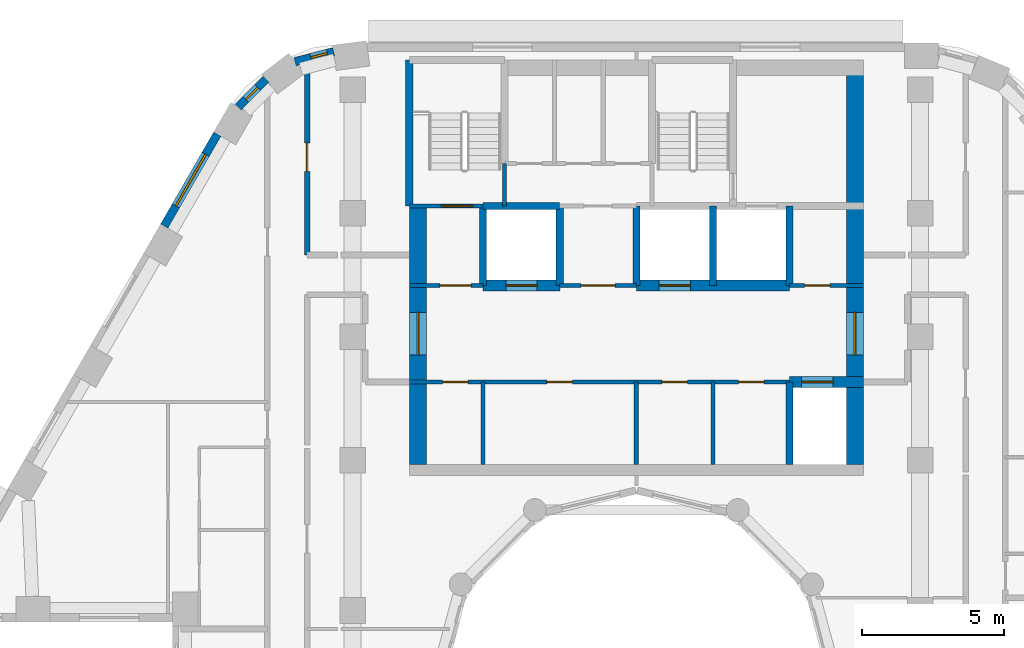
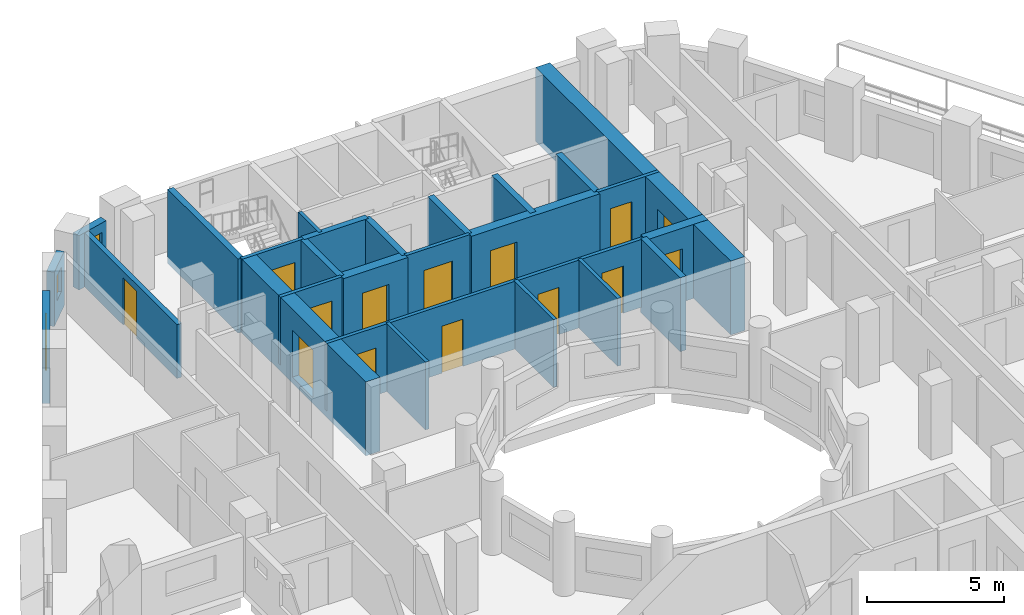
# One storey, part 8 of 18: 26 walls, 14 doors, 3 windows, 17 openings.
"""IFC4 building model written with IfcOpenShell, lengths in metres."""

from ifc_helpers import new_model, si_unit, direction, frame, frame_2d, origin, place, context, subcontext, project, spatial, rectangle, extrude, material, layer, layer_set, type_object, element, fill, save


model = new_model("IFC4")

# Units and contexts
model_context = context("Model", 3, precision=1e-05, world=origin(), true_north=direction((0.0, 1.0)))
body_context = subcontext(model_context, "Body", "Model", "MODEL_VIEW")
ifc_project = project(units=[si_unit("LENGTHUNIT", "METRE"), si_unit("AREAUNIT", "SQUARE_METRE"), si_unit("VOLUMEUNIT", "CUBIC_METRE"), si_unit("PLANEANGLEUNIT", "RADIAN"), si_unit("MASSUNIT", "GRAM", prefix="KILO")], contexts=[model_context])

# Site, building, storey
site_placement = place(None, origin())
site = spatial("IfcSite", under=ifc_project, at=site_placement, CompositionType="ELEMENT")
building_placement = place(site_placement, origin())
building = spatial("IfcBuilding", under=site, at=building_placement, Name="Nakaniwa Court", CompositionType="ELEMENT")
storey_placement = place(building_placement, frame((0.0, 0.0, 180.0)))
storey = spatial("IfcBuildingStorey", under=building, at=storey_placement, Name="L46", CompositionType="ELEMENT", Elevation=180.0)

# Wall, opening, door
ifc_material_1 = material(Name="Acoustic double stud partition")
ifc_layer_1 = layer(ifc_material_1, 0.199951171875)
ifc_layer_set_1 = layer_set([ifc_layer_1], Name="Acoustic double stud partition")
wall_type_1 = type_object("IfcWallType", Name="Acoustic double stud partition 200", PredefinedType="PARTITIONING", material=ifc_layer_set_1)
wall_1_placement = place(storey_placement, frame((68.39990234375, 102.07373046875, 0.0), z_axis=(0.0, 0.0, 1.0), x_axis=(0.0, -1.0, 0.0)))
wall_1 = element("IfcWall", 1, at=wall_1_placement, inside=storey, type_object=wall_type_1, Name="Partition PW-103", PredefinedType="PARTITIONING", context=body_context, shape_type="SweptSolid", body=[
    extrude(rectangle(XDim=6.898681640625, YDim=0.199951171875, at=frame_2d((3.44921875, 0.0))), origin(), (0.0, 0.0, 1.0), 2.405029296875),
])
opening_1_placement = place(wall_1_placement, frame((2.948974609375, 0.0, 0.0)))
opening_1 = element("IfcOpeningElement", 2, at=opening_1_placement, cuts=wall_1, Name="Opening D-02-09", PredefinedType="OPENING", context=body_context, shape_type="SweptSolid", body=[
    extrude(rectangle(XDim=1.0, YDim=2.10009765625, at=frame_2d((0.5, 1.050048828125))), frame((0.0, 0.10986328125, 0.0), z_axis=(0.0, -1.0, 0.0), x_axis=(1.0, 0.0, 0.0)), (0.0, 0.0, 1.0), 0.219970703125),
])
ifc_material_2 = material(Name="Solid core timber door set, black veneer", Category="wood")
door_type_1 = type_object("IfcDoorType", Name="Internal door 1000", OperationType="NOTDEFINED", PredefinedType="DOOR", material=ifc_material_2)
door_1_placement = place(opening_1_placement, origin())
door_1 = element("IfcDoor", 3, at=door_1_placement, inside=storey, type_object=door_type_1, Name="Door D-02-09 L46-062", OperationType="SINGLE_SWING_LEFT", OverallHeight=2.10009765625, OverallWidth=1.0, PredefinedType="DOOR", context=body_context, shape_type="SweptSolid", body=[
    extrude(rectangle(XDim=1.0, YDim=2.10009765625, at=frame_2d((0.5, 1.050048828125))), frame((0.0, 0.02490234375, 0.0), z_axis=(0.0, -1.0, 0.0), x_axis=(1.0, 0.0, 0.0)), (0.0, 0.0, 1.0), 0.050048828125),
])
fill(opening_1, door_1)

# Wall, opening, window
ifc_material_3 = material(Name="Charcoal ceramic cladding")
ifc_layer_2 = layer(ifc_material_3, 0.02, Name="Ceramic cladding")
ifc_material_4 = material(Name="Ventilated air cavity")
ifc_layer_3 = layer(ifc_material_4, 0.04, ventilated=True, Name="Ventilated cavity")
ifc_material_5 = material(Name="Mineral wool insulation")
ifc_layer_4 = layer(ifc_material_5, 0.1, Name="Insulation")
ifc_material_6 = material(Name="Cement bonded sheathing board")
ifc_layer_5 = layer(ifc_material_6, 0.012, Name="Sheathing")
ifc_material_7 = material(Name="Cold-formed galvanised stud frame with mineral wool infill")
ifc_layer_6 = layer(ifc_material_7, 0.1, Name="Stud frame")
ifc_material_8 = material(Name="Fire-rated gypsum plasterboard lining")
ifc_layer_7 = layer(ifc_material_8, 0.028, Name="Lining")
ifc_layer_set_2 = layer_set([ifc_layer_2, ifc_layer_3, ifc_layer_4, ifc_layer_5, ifc_layer_6, ifc_layer_7], Name="Charcoal ceramic faced external wall system")
wall_type_2 = type_object("IfcWallType", Name="Black ceramic faced external wall 300", PredefinedType="SOLIDWALL", material=ifc_layer_set_2)
wall_2_placement = place(storey_placement, frame((69.3359375, 102.333251953125, 0.0), z_axis=(0.0, 0.0, 1.0), x_axis=(-0.969037396898, -0.246914000036, 0.0)))
wall_2 = element("IfcWall", 4, at=wall_2_placement, inside=storey, type_object=wall_type_2, Name="L46 external wall 09", PredefinedType="SOLIDWALL", context=body_context, shape_type="SweptSolid", body=[
    extrude(rectangle(XDim=1.403076171875, YDim=0.300048828125, at=frame_2d((0.70166015625, 0.0))), origin(), (0.0, 0.0, 1.0), 2.425048828125),
])
opening_2_placement = place(wall_2_placement, frame((0.22900390625, 0.0, 0.89990234375)))
opening_2 = element("IfcOpeningElement", 5, at=opening_2_placement, cuts=wall_2, Name="Opening W8.09", PredefinedType="OPENING", context=body_context, shape_type="SweptSolid", body=[
    extrude(rectangle(XDim=0.60009765625, YDim=1.10009765625, at=frame_2d((0.300048828125, 0.550048828125))), frame((0.0, 0.159912109375, 0.0), z_axis=(0.0, -1.0, 0.0), x_axis=(1.0, 0.0, 0.0)), (0.0, 0.0, 1.0), 0.320068359375),
])
ifc_material_9 = material(Name="Black anodised aluminium frame with dark low-E laminated double glazing", Category="aluminium")
window_type_1 = type_object("IfcWindowType", Name="Dark glass window 600x1100 sill 900", PartitioningType="SINGLE_PANEL", PredefinedType="WINDOW", material=ifc_material_9)
window_1_placement = place(opening_2_placement, origin())
window_1 = element("IfcWindow", 6, at=window_1_placement, inside=storey, type_object=window_type_1, Name="L46 habitable room window 09-0", OverallHeight=1.10009765625, OverallWidth=0.60009765625, PartitioningType="SINGLE_PANEL", PredefinedType="WINDOW", context=body_context, shape_type="SweptSolid", body=[
    extrude(rectangle(XDim=0.60009765625, YDim=1.10009765625, at=frame_2d((0.300048828125, 0.550048828125))), frame((0.0, 0.030029296875, 0.0), z_axis=(0.0, -1.0, 0.0), x_axis=(1.0, 0.0, 0.0)), (0.0, 0.0, 1.0), 0.06005859375),
])
fill(opening_2, window_1)

wall_3_placement = place(storey_placement, frame((66.951904296875, 101.36328125, 0.0), z_axis=(0.0, 0.0, 1.0), x_axis=(-0.70869320446, -0.705516790695, 0.0)))
wall_3 = element("IfcWall", 7, at=wall_3_placement, inside=storey, type_object=wall_type_2, Name="L46 external wall 10", PredefinedType="SOLIDWALL", context=body_context, shape_type="SweptSolid", body=[
    extrude(rectangle(XDim=1.383544921875, YDim=0.300048828125, at=frame_2d((0.69189453125, 0.0))), origin(), (0.0, 0.0, 1.0), 2.425048828125),
])
opening_3_placement = place(wall_3_placement, frame((0.407958984375, 0.0, 0.89990234375)))
opening_3 = element("IfcOpeningElement", 8, at=opening_3_placement, cuts=wall_3, Name="Opening W8.10", PredefinedType="OPENING", context=body_context, shape_type="SweptSolid", body=[
    extrude(rectangle(XDim=0.60009765625, YDim=1.10009765625, at=frame_2d((0.300048828125, 0.550048828125))), frame((0.0, 0.159912109375, 0.0), z_axis=(0.0, -1.0, 0.0), x_axis=(1.0, 0.0, 0.0)), (0.0, 0.0, 1.0), 0.320068359375),
])
window_2_placement = place(opening_3_placement, origin())
window_2 = element("IfcWindow", 9, at=window_2_placement, inside=storey, type_object=window_type_1, Name="L46 habitable room window 10-1", OverallHeight=1.10009765625, OverallWidth=0.60009765625, PartitioningType="SINGLE_PANEL", PredefinedType="WINDOW", context=body_context, shape_type="SweptSolid", body=[
    extrude(rectangle(XDim=0.60009765625, YDim=1.10009765625, at=frame_2d((0.300048828125, 0.550048828125))), frame((0.0, 0.030029296875, 0.0), z_axis=(0.0, -1.0, 0.0), x_axis=(1.0, 0.0, 0.0)), (0.0, 0.0, 1.0), 0.06005859375),
])
fill(opening_3, window_2)

wall_4_placement = place(storey_placement, frame((65.239013671875, 99.433349609375, 0.0), z_axis=(0.0, 0.0, 1.0), x_axis=(-0.499982088007, -0.866035745032, 0.0)))
wall_4 = element("IfcWall", 10, at=wall_4_placement, inside=storey, type_object=wall_type_2, Name="L46 external wall 11", PredefinedType="SOLIDWALL", context=body_context, shape_type="SweptSolid", body=[
    extrude(rectangle(XDim=3.744384765625, YDim=0.300048828125, at=frame_2d((1.8720703125, 0.0))), origin(), (0.0, 0.0, 1.0), 2.425048828125),
])
opening_4_placement = place(wall_4_placement, frame((0.822021484375, 0.0, 0.89990234375)))
opening_4 = element("IfcOpeningElement", 11, at=opening_4_placement, cuts=wall_4, Name="Opening W7.11", PredefinedType="OPENING", context=body_context, shape_type="SweptSolid", body=[
    extrude(rectangle(XDim=2.10009765625, YDim=1.10009765625, at=frame_2d((1.050048828125, 0.550048828125))), frame((0.0, 0.159912109375, 0.0), z_axis=(0.0, -1.0, 0.0), x_axis=(1.0, 0.0, 0.0)), (0.0, 0.0, 1.0), 0.320068359375),
])
window_type_2 = type_object("IfcWindowType", Name="Dark glass window 2100x1100 sill 900", PartitioningType="SINGLE_PANEL", PredefinedType="WINDOW", material=ifc_material_9)
window_3_placement = place(opening_4_placement, origin())
window_3 = element("IfcWindow", 12, at=window_3_placement, inside=storey, type_object=window_type_2, Name="L46 habitable room window 11-0", OverallHeight=1.10009765625, OverallWidth=2.10009765625, PartitioningType="SINGLE_PANEL", PredefinedType="WINDOW", context=body_context, shape_type="SweptSolid", body=[
    extrude(rectangle(XDim=2.10009765625, YDim=1.10009765625, at=frame_2d((1.050048828125, 0.550048828125))), frame((0.0, 0.030029296875, 0.0), z_axis=(0.0, -1.0, 0.0), x_axis=(1.0, 0.0, 0.0)), (0.0, 0.0, 1.0), 0.06005859375),
])
fill(opening_4, window_3)

# Wall
ifc_material_10 = material(Name="Blockwork partition", Category="masonry")
ifc_layer_8 = layer(ifc_material_10, 0.14990234375)
ifc_layer_set_3 = layer_set([ifc_layer_8], Name="Blockwork partition")
wall_type_3 = type_object("IfcWallType", Name="Blockwork partition 150", PredefinedType="PARTITIONING", material=ifc_layer_set_3)
wall_5_placement = place(storey_placement, frame((74.60009765625, 87.800048828125, 0.0), z_axis=(0.0, 0.0, 1.0), x_axis=(0.0, 1.0, 0.0)))
element("IfcWall", 13, at=wall_5_placement, inside=storey, type_object=wall_type_3, Name="Partition PW-001", PredefinedType="PARTITIONING", context=body_context, shape_type="SweptSolid", body=[
    extrude(rectangle(XDim=2.89990234375, YDim=0.14990234375, at=frame_2d((1.449951171875, 0.0))), origin(), (0.0, 0.0, 1.0), 3.02490234375),
])

# Wall, openings, doors
wall_6_placement = place(storey_placement, frame((85.39990234375, 90.699951171875, 0.0), z_axis=(0.0, 0.0, 1.0), x_axis=(-1.0, 0.0, 0.0)))
wall_6 = element("IfcWall", 14, at=wall_6_placement, inside=storey, type_object=wall_type_3, Name="Partition PW-002", PredefinedType="PARTITIONING", context=body_context, shape_type="SweptSolid", body=[
    extrude(rectangle(XDim=13.39990234375, YDim=0.14990234375, at=frame_2d((6.699951171875, 0.0))), origin(), (0.0, 0.0, 1.0), 3.02490234375),
])
opening_5_placement = place(wall_6_placement, frame((11.324951171875, 0.0, 0.0)))
opening_5 = element("IfcOpeningElement", 15, at=opening_5_placement, cuts=wall_6, Name="Opening D-05-01", PredefinedType="OPENING", context=body_context, shape_type="SweptSolid", body=[
    extrude(rectangle(XDim=0.89990234375, YDim=2.10009765625, at=frame_2d((0.449951171875, 1.050048828125))), frame((0.0, 0.0849609375, 0.0), z_axis=(0.0, -1.0, 0.0), x_axis=(1.0, 0.0, 0.0)), (0.0, 0.0, 1.0), 0.169921875),
])
opening_6_placement = place(wall_6_placement, frame((7.64990234375, 0.0, 0.0)))
opening_6 = element("IfcOpeningElement", 16, at=opening_6_placement, cuts=wall_6, Name="Opening D-05-02", PredefinedType="OPENING", context=body_context, shape_type="SweptSolid", body=[
    extrude(rectangle(XDim=0.89990234375, YDim=2.10009765625, at=frame_2d((0.449951171875, 1.050048828125))), frame((0.0, 0.0849609375, 0.0), z_axis=(0.0, -1.0, 0.0), x_axis=(1.0, 0.0, 0.0)), (0.0, 0.0, 1.0), 0.169921875),
])
opening_7_placement = place(wall_6_placement, frame((3.60009765625, 0.0, 0.0)))
opening_7 = element("IfcOpeningElement", 17, at=opening_7_placement, cuts=wall_6, Name="Opening D-05-03", PredefinedType="OPENING", context=body_context, shape_type="SweptSolid", body=[
    extrude(rectangle(XDim=0.89990234375, YDim=2.10009765625, at=frame_2d((0.449951171875, 1.050048828125))), frame((0.0, 0.0849609375, 0.0), z_axis=(0.0, -1.0, 0.0), x_axis=(1.0, 0.0, 0.0)), (0.0, 0.0, 1.0), 0.169921875),
])
opening_8_placement = place(wall_6_placement, frame((0.89990234375, 0.0, 0.0)))
opening_8 = element("IfcOpeningElement", 18, at=opening_8_placement, cuts=wall_6, Name="Opening D-05-04", PredefinedType="OPENING", context=body_context, shape_type="SweptSolid", body=[
    extrude(rectangle(XDim=0.89990234375, YDim=2.10009765625, at=frame_2d((0.449951171875, 1.050048828125))), frame((0.0, 0.0849609375, 0.0), z_axis=(0.0, -1.0, 0.0), x_axis=(1.0, 0.0, 0.0)), (0.0, 0.0, 1.0), 0.169921875),
])
ifc_material_11 = material(Name="Fire rated steel door set", Category="steel")
door_type_2 = type_object("IfcDoorType", Name="Service room door 900", OperationType="NOTDEFINED", PredefinedType="DOOR", material=ifc_material_11)
door_2_placement = place(opening_5_placement, origin())
door_2 = element("IfcDoor", 19, at=door_2_placement, inside=storey, type_object=door_type_2, Name="Door D-05-01 L46-001", OperationType="SINGLE_SWING_RIGHT", OverallHeight=2.10009765625, OverallWidth=0.89990234375, PredefinedType="DOOR", context=body_context, shape_type="SweptSolid", body=[
    extrude(rectangle(XDim=0.89990234375, YDim=2.10009765625, at=frame_2d((0.449951171875, 1.050048828125))), frame((0.0, 0.02490234375, 0.0), z_axis=(0.0, -1.0, 0.0), x_axis=(1.0, 0.0, 0.0)), (0.0, 0.0, 1.0), 0.050048828125),
])
fill(opening_5, door_2)
door_3_placement = place(opening_6_placement, origin())
door_3 = element("IfcDoor", 20, at=door_3_placement, inside=storey, type_object=door_type_2, Name="Door D-05-02 L46-002", OperationType="SINGLE_SWING_LEFT", OverallHeight=2.10009765625, OverallWidth=0.89990234375, PredefinedType="DOOR", context=body_context, shape_type="SweptSolid", body=[
    extrude(rectangle(XDim=0.89990234375, YDim=2.10009765625, at=frame_2d((0.449951171875, 1.050048828125))), frame((0.0, 0.02490234375, 0.0), z_axis=(0.0, -1.0, 0.0), x_axis=(1.0, 0.0, 0.0)), (0.0, 0.0, 1.0), 0.050048828125),
])
fill(opening_6, door_3)
door_4_placement = place(opening_7_placement, origin())
door_4 = element("IfcDoor", 21, at=door_4_placement, inside=storey, type_object=door_type_2, Name="Door D-05-03 L46-003", OperationType="SINGLE_SWING_RIGHT", OverallHeight=2.10009765625, OverallWidth=0.89990234375, PredefinedType="DOOR", context=body_context, shape_type="SweptSolid", body=[
    extrude(rectangle(XDim=0.89990234375, YDim=2.10009765625, at=frame_2d((0.449951171875, 1.050048828125))), frame((0.0, 0.02490234375, 0.0), z_axis=(0.0, -1.0, 0.0), x_axis=(1.0, 0.0, 0.0)), (0.0, 0.0, 1.0), 0.050048828125),
])
fill(opening_7, door_4)
door_5_placement = place(opening_8_placement, origin())
door_5 = element("IfcDoor", 22, at=door_5_placement, inside=storey, type_object=door_type_2, Name="Door D-05-04 L46-004", OperationType="SINGLE_SWING_LEFT", OverallHeight=2.10009765625, OverallWidth=0.89990234375, PredefinedType="DOOR", context=body_context, shape_type="SweptSolid", body=[
    extrude(rectangle(XDim=0.89990234375, YDim=2.10009765625, at=frame_2d((0.449951171875, 1.050048828125))), frame((0.0, 0.02490234375, 0.0), z_axis=(0.0, -1.0, 0.0), x_axis=(1.0, 0.0, 0.0)), (0.0, 0.0, 1.0), 0.050048828125),
])
fill(opening_8, door_5)

# Walls
for number, where, z_axis, x_axis, name in (
    (23, (80.0, 87.800048828125, 0.0), (0.0, 0.0, 1.0), (0.0, 1.0, 0.0), "Partition PW-008"),
    (24, (82.699951171875, 87.800048828125, 0.0), (0.0, 0.0, 1.0), (0.0, 1.0, 0.0), "Partition PW-009"),
):
    element("IfcWall", number, at=place(storey_placement, frame(where, z_axis=z_axis, x_axis=x_axis)), inside=storey, type_object=wall_type_3, Name=name, PredefinedType="PARTITIONING", context=body_context, shape_type="SweptSolid", body=[
        extrude(rectangle(XDim=2.89990234375, YDim=0.14990234375, at=frame_2d((1.449951171875, 0.0))), origin(), (0.0, 0.0, 1.0), 3.02490234375),
    ])

# Wall, opening, door
wall_7_placement = place(storey_placement, frame((72.0, 94.10009765625, 0.0), z_axis=(0.0, 0.0, 1.0), x_axis=(1.0, 0.0, 0.0)))
wall_7 = element("IfcWall", 25, at=wall_7_placement, inside=storey, type_object=wall_type_3, Name="Partition PW-010", PredefinedType="PARTITIONING", context=body_context, shape_type="SweptSolid", body=[
    extrude(rectangle(XDim=2.60302734375, YDim=0.14990234375, at=frame_2d((1.301513671875, 0.0))), origin(), (0.0, 0.0, 1.0), 3.02490234375),
])
opening_9_placement = place(wall_7_placement, frame((1.074951171875, 0.0, 0.0)))
opening_9 = element("IfcOpeningElement", 26, at=opening_9_placement, cuts=wall_7, Name="Opening D-08-01", PredefinedType="OPENING", context=body_context, shape_type="SweptSolid", body=[
    extrude(rectangle(XDim=1.10009765625, YDim=2.10009765625, at=frame_2d((0.550048828125, 1.050048828125))), frame((0.0, 0.0849609375, 0.0), z_axis=(0.0, -1.0, 0.0), x_axis=(1.0, 0.0, 0.0)), (0.0, 0.0, 1.0), 0.169921875),
])
door_type_3 = type_object("IfcDoorType", Name="Stair lobby door 1100", OperationType="NOTDEFINED", PredefinedType="DOOR", material=ifc_material_11)
door_6_placement = place(opening_9_placement, origin())
door_6 = element("IfcDoor", 27, at=door_6_placement, inside=storey, type_object=door_type_3, Name="Door D-08-01 L46-005", OperationType="SINGLE_SWING_RIGHT", OverallHeight=2.10009765625, OverallWidth=1.10009765625, PredefinedType="DOOR", context=body_context, shape_type="SweptSolid", body=[
    extrude(rectangle(XDim=1.10009765625, YDim=2.10009765625, at=frame_2d((0.550048828125, 1.050048828125))), frame((0.0, 0.02490234375, 0.0), z_axis=(0.0, -1.0, 0.0), x_axis=(1.0, 0.0, 0.0)), (0.0, 0.0, 1.0), 0.050048828125),
])
fill(opening_9, door_6)

wall_8_placement = place(storey_placement, frame((77.297119140625, 94.10009765625, 0.0), z_axis=(0.0, 0.0, 1.0), x_axis=(1.0, 0.0, 0.0)))
wall_8 = element("IfcWall", 28, at=wall_8_placement, inside=storey, type_object=wall_type_3, Name="Partition PW-011", PredefinedType="PARTITIONING", context=body_context, shape_type="SweptSolid", body=[
    extrude(rectangle(XDim=2.705810546875, YDim=0.14990234375, at=frame_2d((1.35302734375, 0.0))), origin(), (0.0, 0.0, 1.0), 3.02490234375),
])
opening_10_placement = place(wall_8_placement, frame((0.7529296875, 0.0, 0.0)))
opening_10 = element("IfcOpeningElement", 29, at=opening_10_placement, cuts=wall_8, Name="Opening D-06-01", PredefinedType="OPENING", context=body_context, shape_type="SweptSolid", body=[
    extrude(rectangle(XDim=1.199951171875, YDim=2.10009765625, at=frame_2d((0.60009765625, 1.050048828125))), frame((0.0, 0.0849609375, 0.0), z_axis=(0.0, -1.0, 0.0), x_axis=(1.0, 0.0, 0.0)), (0.0, 0.0, 1.0), 0.169921875),
])
ifc_material_12 = material(Name="Fire rated steel double door set", Category="steel")
door_type_4 = type_object("IfcDoorType", Name="Service passage double door 1200", OperationType="NOTDEFINED", PredefinedType="DOOR", material=ifc_material_12)
door_7_placement = place(opening_10_placement, origin())
door_7 = element("IfcDoor", 30, at=door_7_placement, inside=storey, type_object=door_type_4, Name="Door D-06-01 L46-006", OperationType="DOUBLE_DOOR_SINGLE_SWING", OverallHeight=2.10009765625, OverallWidth=1.199951171875, PredefinedType="DOOR", context=body_context, shape_type="SweptSolid", body=[
    extrude(rectangle(XDim=1.199951171875, YDim=2.10009765625, at=frame_2d((0.60009765625, 1.050048828125))), frame((0.0, 0.02490234375, 0.0), z_axis=(0.0, -1.0, 0.0), x_axis=(1.0, 0.0, 0.0)), (0.0, 0.0, 1.0), 0.050048828125),
])
fill(opening_10, door_7)

wall_9_placement = place(storey_placement, frame((85.39697265625, 94.10009765625, 0.0), z_axis=(0.0, 0.0, 1.0), x_axis=(1.0, 0.0, 0.0)))
wall_9 = element("IfcWall", 31, at=wall_9_placement, inside=storey, type_object=wall_type_3, Name="Partition PW-012", PredefinedType="PARTITIONING", context=body_context, shape_type="SweptSolid", body=[
    extrude(rectangle(XDim=2.60302734375, YDim=0.14990234375, at=frame_2d((1.301513671875, 0.0))), origin(), (0.0, 0.0, 1.0), 3.02490234375),
])
opening_11_placement = place(wall_9_placement, frame((0.528076171875, 0.0, 0.0)))
opening_11 = element("IfcOpeningElement", 32, at=opening_11_placement, cuts=wall_9, Name="Opening D-05-05", PredefinedType="OPENING", context=body_context, shape_type="SweptSolid", body=[
    extrude(rectangle(XDim=0.89990234375, YDim=2.10009765625, at=frame_2d((0.449951171875, 1.050048828125))), frame((0.0, 0.0849609375, 0.0), z_axis=(0.0, -1.0, 0.0), x_axis=(1.0, 0.0, 0.0)), (0.0, 0.0, 1.0), 0.169921875),
])
door_8_placement = place(opening_11_placement, origin())
door_8 = element("IfcDoor", 33, at=door_8_placement, inside=storey, type_object=door_type_2, Name="Door D-05-05 L46-007", OperationType="SINGLE_SWING_RIGHT", OverallHeight=2.10009765625, OverallWidth=0.89990234375, PredefinedType="DOOR", context=body_context, shape_type="SweptSolid", body=[
    extrude(rectangle(XDim=0.89990234375, YDim=2.10009765625, at=frame_2d((0.449951171875, 1.050048828125))), frame((0.0, 0.02490234375, 0.0), z_axis=(0.0, -1.0, 0.0), x_axis=(1.0, 0.0, 0.0)), (0.0, 0.0, 1.0), 0.050048828125),
])
fill(opening_11, door_8)

ifc_material_13 = material(Name="Concrete C80/100", Category="concrete")
ifc_layer_9 = layer(ifc_material_13, 0.60009765625)
ifc_layer_set_4 = layer_set([ifc_layer_9], Name="Concrete C80/100")
wall_type_4 = type_object("IfcWallType", Name="Concrete core side wall 600 C80", PredefinedType="SHEAR", material=ifc_layer_set_4)
wall_10_placement = place(storey_placement, frame((72.300048828125, 87.800048828125, -0.27490234375), z_axis=(0.0, 0.0, 1.0), x_axis=(0.0, 1.0, 0.0)))
wall_10 = element("IfcWall", 34, at=wall_10_placement, inside=storey, type_object=wall_type_4, Name="Core wall SW-03", PredefinedType="SHEAR", context=body_context, shape_type="SweptSolid", body=[
    extrude(rectangle(XDim=9.099853515625, YDim=0.60009765625, at=frame_2d((4.5498046875, 0.0))), origin(), (0.0, 0.0, 1.0), 3.2998046875),
])
opening_12_placement = place(wall_10_placement, frame((3.85205078125, 0.0, 0.27490234375)))
opening_12 = element("IfcOpeningElement", 35, at=opening_12_placement, cuts=wall_10, Name="Opening D-07-02", PredefinedType="OPENING", context=body_context, shape_type="SweptSolid", body=[
    extrude(rectangle(XDim=1.5, YDim=2.10009765625, at=frame_2d((0.75, 1.050048828125))), frame((0.0, 0.31005859375, 0.0), z_axis=(0.0, -1.0, 0.0), x_axis=(1.0, 0.0, 0.0)), (0.0, 0.0, 1.0), 0.6201171875),
])
ifc_material_14 = material(Name="Glazed fire rated steel double door set", Category="steel")
door_type_5 = type_object("IfcDoorType", Name="Lobby double door 1500", OperationType="NOTDEFINED", PredefinedType="DOOR", material=ifc_material_14)
door_9_placement = place(opening_12_placement, origin())
door_9 = element("IfcDoor", 36, at=door_9_placement, inside=storey, type_object=door_type_5, Name="Door D-07-02 L46-064", OperationType="DOUBLE_DOOR_SINGLE_SWING", OverallHeight=2.10009765625, OverallWidth=1.5, PredefinedType="DOOR", context=body_context, shape_type="SweptSolid", body=[
    extrude(rectangle(XDim=1.5, YDim=2.10009765625, at=frame_2d((0.75, 1.050048828125))), frame((0.0, 0.02490234375, 0.0), z_axis=(0.0, -1.0, 0.0), x_axis=(1.0, 0.0, 0.0)), (0.0, 0.0, 1.0), 0.050048828125),
])
fill(opening_12, door_9)

wall_11_placement = place(storey_placement, frame((87.699951171875, 102.050048828125, -0.27490234375), z_axis=(0.0, 0.0, 1.0), x_axis=(0.0, -1.0, 0.0)))
wall_11 = element("IfcWall", 37, at=wall_11_placement, inside=storey, type_object=wall_type_4, Name="Core wall SW-07", PredefinedType="SHEAR", context=body_context, shape_type="SweptSolid", body=[
    extrude(rectangle(XDim=14.25, YDim=0.60009765625, at=frame_2d((7.125, 0.0))), origin(), (0.0, 0.0, 1.0), 3.2998046875),
])
opening_13_placement = place(wall_11_placement, frame((8.89794921875, 0.0, 0.27490234375)))
opening_13 = element("IfcOpeningElement", 38, at=opening_13_placement, cuts=wall_11, Name="Opening D-07-01", PredefinedType="OPENING", context=body_context, shape_type="SweptSolid", body=[
    extrude(rectangle(XDim=1.5, YDim=2.10009765625, at=frame_2d((0.75, 1.050048828125))), frame((0.0, 0.31005859375, 0.0), z_axis=(0.0, -1.0, 0.0), x_axis=(1.0, 0.0, 0.0)), (0.0, 0.0, 1.0), 0.6201171875),
])
door_10_placement = place(opening_13_placement, origin())
door_10 = element("IfcDoor", 39, at=door_10_placement, inside=storey, type_object=door_type_5, Name="Door D-07-01 L46-063", OperationType="DOUBLE_DOOR_SINGLE_SWING", OverallHeight=2.10009765625, OverallWidth=1.5, PredefinedType="DOOR", context=body_context, shape_type="SweptSolid", body=[
    extrude(rectangle(XDim=1.5, YDim=2.10009765625, at=frame_2d((0.75, 1.050048828125))), frame((0.0, 0.02490234375, 0.0), z_axis=(0.0, -1.0, 0.0), x_axis=(1.0, 0.0, 0.0)), (0.0, 0.0, 1.0), 0.050048828125),
])
fill(opening_13, door_10)

ifc_layer_10 = layer(ifc_material_13, 0.39990234375)
ifc_layer_set_5 = layer_set([ifc_layer_10], Name="Concrete C80/100")
wall_type_5 = type_object("IfcWallType", Name="Concrete core spine wall 400 C80", PredefinedType="SHEAR", material=ifc_layer_set_5)
wall_12_placement = place(storey_placement, frame((85.39990234375, 90.699951171875, -0.27490234375), z_axis=(0.0, 0.0, 1.0), x_axis=(1.0, 0.0, 0.0)))
wall_12 = element("IfcWall", 40, at=wall_12_placement, inside=storey, type_object=wall_type_5, Name="Core wall SW-06", PredefinedType="SHEAR", context=body_context, shape_type="SweptSolid", body=[
    extrude(rectangle(XDim=2.60009765625, YDim=0.39990234375, at=frame_2d((1.300048828125, 0.0))), origin(), (0.0, 0.0, 1.0), 3.2998046875),
])
opening_14_placement = place(wall_12_placement, frame((0.425048828125, 0.0, 0.27490234375)))
opening_14 = element("IfcOpeningElement", 41, at=opening_14_placement, cuts=wall_12, Name="Opening LD01", PredefinedType="OPENING", context=body_context, shape_type="SweptSolid", body=[
    extrude(rectangle(XDim=1.10009765625, YDim=2.10009765625, at=frame_2d((0.550048828125, 1.050048828125))), frame((0.0, 0.2099609375, 0.0), z_axis=(0.0, -1.0, 0.0), x_axis=(1.0, 0.0, 0.0)), (0.0, 0.0, 1.0), 0.419921875),
])
ifc_material_15 = material(Name="Stainless steel sliding lift landing door", Category="steel")
door_type_6 = type_object("IfcDoorType", Name="Lift landing door 1100", OperationType="NOTDEFINED", PredefinedType="DOOR", material=ifc_material_15)
door_11_placement = place(opening_14_placement, origin())
door_11 = element("IfcDoor", 42, at=door_11_placement, inside=storey, type_object=door_type_6, Name="Lift landing door LD01 L46-001", OperationType="SLIDING_TO_LEFT", OverallHeight=2.10009765625, OverallWidth=1.10009765625, PredefinedType="DOOR", context=body_context, shape_type="SweptSolid", body=[
    extrude(rectangle(XDim=1.10009765625, YDim=2.10009765625, at=frame_2d((0.550048828125, 1.050048828125))), frame((0.0, 0.02490234375, 0.0), z_axis=(0.0, -1.0, 0.0), x_axis=(1.0, 0.0, 0.0)), (0.0, 0.0, 1.0), 0.050048828125),
])
fill(opening_14, door_11)

wall_13_placement = place(storey_placement, frame((74.596923828125, 94.10009765625, -0.27490234375), z_axis=(0.0, 0.0, 1.0), x_axis=(1.0, 0.0, 0.0)))
wall_13 = element("IfcWall", 43, at=wall_13_placement, inside=storey, type_object=wall_type_5, Name="Core wall SW-13", PredefinedType="SHEAR", context=body_context, shape_type="SweptSolid", body=[
    extrude(rectangle(XDim=2.7060546875, YDim=0.39990234375, at=frame_2d((1.35302734375, 0.0))), origin(), (0.0, 0.0, 1.0), 3.2998046875),
])
opening_15_placement = place(wall_13_placement, frame((0.802978515625, 0.0, 0.27490234375)))
opening_15 = element("IfcOpeningElement", 44, at=opening_15_placement, cuts=wall_13, Name="Opening LD02", PredefinedType="OPENING", context=body_context, shape_type="SweptSolid", body=[
    extrude(rectangle(XDim=1.10009765625, YDim=2.10009765625, at=frame_2d((0.550048828125, 1.050048828125))), frame((0.0, 0.2099609375, 0.0), z_axis=(0.0, -1.0, 0.0), x_axis=(1.0, 0.0, 0.0)), (0.0, 0.0, 1.0), 0.419921875),
])
door_12_placement = place(opening_15_placement, origin())
door_12 = element("IfcDoor", 45, at=door_12_placement, inside=storey, type_object=door_type_6, Name="Lift landing door LD02 L46-002", OperationType="SLIDING_TO_LEFT", OverallHeight=2.10009765625, OverallWidth=1.10009765625, PredefinedType="DOOR", context=body_context, shape_type="SweptSolid", body=[
    extrude(rectangle(XDim=1.10009765625, YDim=2.10009765625, at=frame_2d((0.550048828125, 1.050048828125))), frame((0.0, 0.02490234375, 0.0), z_axis=(0.0, -1.0, 0.0), x_axis=(1.0, 0.0, 0.0)), (0.0, 0.0, 1.0), 0.050048828125),
])
fill(opening_15, door_12)

wall_14_placement = place(storey_placement, frame((79.9970703125, 94.10009765625, -0.27490234375), z_axis=(0.0, 0.0, 1.0), x_axis=(1.0, 0.0, 0.0)))
wall_14 = element("IfcWall", 46, at=wall_14_placement, inside=storey, type_object=wall_type_5, Name="Core wall SW-14", PredefinedType="SHEAR", context=body_context, shape_type="SweptSolid", body=[
    extrude(rectangle(XDim=5.406005859375, YDim=0.39990234375, at=frame_2d((2.703125, 0.0))), origin(), (0.0, 0.0, 1.0), 3.2998046875),
])
opening_16_placement = place(wall_14_placement, frame((0.802978515625, 0.0, 0.27490234375)))
opening_16 = element("IfcOpeningElement", 47, at=opening_16_placement, cuts=wall_14, Name="Opening LD03", PredefinedType="OPENING", context=body_context, shape_type="SweptSolid", body=[
    extrude(rectangle(XDim=1.10009765625, YDim=2.10009765625, at=frame_2d((0.550048828125, 1.050048828125))), frame((0.0, 0.2099609375, 0.0), z_axis=(0.0, -1.0, 0.0), x_axis=(1.0, 0.0, 0.0)), (0.0, 0.0, 1.0), 0.419921875),
])
door_13_placement = place(opening_16_placement, origin())
door_13 = element("IfcDoor", 48, at=door_13_placement, inside=storey, type_object=door_type_6, Name="Lift landing door LD03 L46-003", OperationType="SLIDING_TO_LEFT", OverallHeight=2.10009765625, OverallWidth=1.10009765625, PredefinedType="DOOR", context=body_context, shape_type="SweptSolid", body=[
    extrude(rectangle(XDim=1.10009765625, YDim=2.10009765625, at=frame_2d((0.550048828125, 1.050048828125))), frame((0.0, 0.02490234375, 0.0), z_axis=(0.0, -1.0, 0.0), x_axis=(1.0, 0.0, 0.0)), (0.0, 0.0, 1.0), 0.050048828125),
])
fill(opening_16, door_13)

ifc_layer_11 = layer(ifc_material_13, 0.14990234375)
ifc_layer_set_6 = layer_set([ifc_layer_11], Name="Concrete C80/100")
wall_type_6 = type_object("IfcWallType", Name="Concrete core wall 150 C80", PredefinedType="SHEAR", material=ifc_layer_set_6)
wall_15_placement = place(storey_placement, frame((74.60009765625, 96.89990234375, -0.27490234375), z_axis=(0.0, 0.0, 1.0), x_axis=(-1.0, 0.0, 0.0)))
wall_15 = element("IfcWall", 49, at=wall_15_placement, inside=storey, type_object=wall_type_6, Name="Core wall SW-16", PredefinedType="SHEAR", context=body_context, shape_type="SweptSolid", body=[
    extrude(rectangle(XDim=2.60009765625, YDim=0.14990234375, at=frame_2d((1.300048828125, 0.0))), origin(), (0.0, 0.0, 1.0), 3.2998046875),
])
opening_17_placement = place(wall_15_placement, frame((0.3701171875, 0.0, 0.27490234375)))
opening_17 = element("IfcOpeningElement", 50, at=opening_17_placement, cuts=wall_15, Name="Opening D-09-01", PredefinedType="OPENING", context=body_context, shape_type="SweptSolid", body=[
    extrude(rectangle(XDim=1.10009765625, YDim=2.10009765625, at=frame_2d((0.550048828125, 1.050048828125))), frame((0.0, 0.0849609375, 0.0), z_axis=(0.0, -1.0, 0.0), x_axis=(1.0, 0.0, 0.0)), (0.0, 0.0, 1.0), 0.169921875),
])
door_type_7 = type_object("IfcDoorType", Name="Stair door 1100", OperationType="NOTDEFINED", PredefinedType="DOOR", material=ifc_material_11)
door_14_placement = place(opening_17_placement, origin())
door_14 = element("IfcDoor", 51, at=door_14_placement, inside=storey, type_object=door_type_7, Name="Door D-09-01 L46-012", OperationType="SINGLE_SWING_RIGHT", OverallHeight=2.10009765625, OverallWidth=1.10009765625, PredefinedType="DOOR", context=body_context, shape_type="SweptSolid", body=[
    extrude(rectangle(XDim=1.10009765625, YDim=2.10009765625, at=frame_2d((0.550048828125, 1.050048828125))), frame((0.0, 0.02490234375, 0.0), z_axis=(0.0, -1.0, 0.0), x_axis=(1.0, 0.0, 0.0)), (0.0, 0.0, 1.0), 0.050048828125),
])
fill(opening_17, door_14)

# Walls
wall_16_placement = place(storey_placement, frame((75.35009765625, 96.89990234375, -0.27490234375), z_axis=(0.0, 0.0, 1.0), x_axis=(0.0, 1.0, 0.0)))
element("IfcWall", 52, at=wall_16_placement, inside=storey, type_object=wall_type_6, Name="Core wall SW-23", PredefinedType="SHEAR", context=body_context, shape_type="SweptSolid", body=[
    extrude(rectangle(XDim=1.503173828125, YDim=0.14990234375, at=frame_2d((0.75146484375, 0.0))), origin(), (0.0, 0.0, 1.0), 3.2998046875),
])
ifc_layer_12 = layer(ifc_material_13, 0.25)
ifc_layer_set_7 = layer_set([ifc_layer_12], Name="Concrete C80/100")
wall_type_7 = type_object("IfcWallType", Name="Concrete core wall 250 C80", PredefinedType="SHEAR", material=ifc_layer_set_7)
wall_17_placement = place(storey_placement, frame((72.0, 96.89990234375, -0.27490234375), z_axis=(0.0, 0.0, 1.0), x_axis=(0.0, 1.0, 0.0)))
element("IfcWall", 53, at=wall_17_placement, inside=storey, type_object=wall_type_7, Name="Core wall SW-27", PredefinedType="SHEAR", context=body_context, shape_type="SweptSolid", body=[
    extrude(rectangle(XDim=5.150146484375, YDim=0.25, at=frame_2d((2.5751953125, 0.0))), origin(), (0.0, 0.0, 1.0), 3.2998046875),
])
ifc_layer_13 = layer(ifc_material_13, 0.25)
ifc_layer_set_8 = layer_set([ifc_layer_13], Name="Concrete C80/100")
wall_type_8 = type_object("IfcWallType", Name="Concrete shaft wall 250 C80", PredefinedType="SHEAR", material=ifc_layer_set_8)
wall_18_placement = place(storey_placement, frame((85.39990234375, 87.800048828125, -0.27490234375), z_axis=(0.0, 0.0, 1.0), x_axis=(0.0, 1.0, 0.0)))
element("IfcWall", 54, at=wall_18_placement, inside=storey, type_object=wall_type_8, Name="Core wall SW-04", PredefinedType="SHEAR", context=body_context, shape_type="SweptSolid", body=[
    extrude(rectangle(XDim=2.89990234375, YDim=0.25, at=frame_2d((1.449951171875, 0.0))), origin(), (0.0, 0.0, 1.0), 3.2998046875),
])
for number, where, z_axis, x_axis, name in (
    (55, (85.39990234375, 94.10009765625, -0.27490234375), (0.0, 0.0, 1.0), (0.0, 1.0, 0.0), "Core wall SW-05"),
    (56, (74.60009765625, 94.10009765625, -0.27490234375), (0.0, 0.0, 1.0), (0.0, 1.0, 0.0), "Core wall SW-15"),
    (57, (77.300048828125, 94.10009765625, -0.27490234375), (0.0, 0.0, 1.0), (0.0, 1.0, 0.0), "Core wall SW-17"),
):
    element("IfcWall", number, at=place(storey_placement, frame(where, z_axis=z_axis, x_axis=x_axis)), inside=storey, type_object=wall_type_8, Name=name, PredefinedType="SHEAR", context=body_context, shape_type="SweptSolid", body=[
        extrude(rectangle(XDim=2.7998046875, YDim=0.25, at=frame_2d((1.39990234375, 0.0))), origin(), (0.0, 0.0, 1.0), 3.2998046875),
    ])
wall_19_placement = place(storey_placement, frame((74.60009765625, 96.89990234375, -0.27490234375), z_axis=(0.0, 0.0, 1.0), x_axis=(1.0, 0.0, 0.0)))
element("IfcWall", 58, at=wall_19_placement, inside=storey, type_object=wall_type_8, Name="Core wall SW-18", PredefinedType="SHEAR", context=body_context, shape_type="SweptSolid", body=[
    extrude(rectangle(XDim=2.699951171875, YDim=0.25, at=frame_2d((1.35009765625, 0.0))), origin(), (0.0, 0.0, 1.0), 3.2998046875),
])
for number, where, z_axis, x_axis, name in (
    (59, (80.0, 94.10009765625, -0.27490234375), (0.0, 0.0, 1.0), (0.0, 1.0, 0.0), "Core wall SW-20"),
    (60, (82.699951171875, 94.10009765625, -0.27490234375), (0.0, 0.0, 1.0), (0.0, 1.0, 0.0), "Core wall SW-22"),
):
    element("IfcWall", number, at=place(storey_placement, frame(where, z_axis=z_axis, x_axis=x_axis)), inside=storey, type_object=wall_type_8, Name=name, PredefinedType="SHEAR", context=body_context, shape_type="SweptSolid", body=[
        extrude(rectangle(XDim=2.7998046875, YDim=0.25, at=frame_2d((1.39990234375, 0.0))), origin(), (0.0, 0.0, 1.0), 3.2998046875),
    ])

save(model, "model.ifc")
